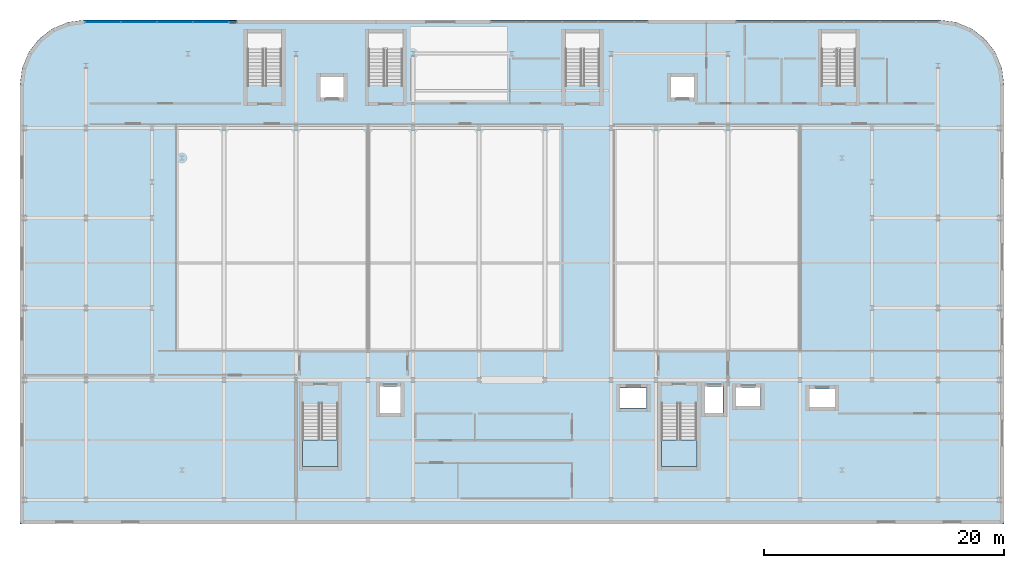
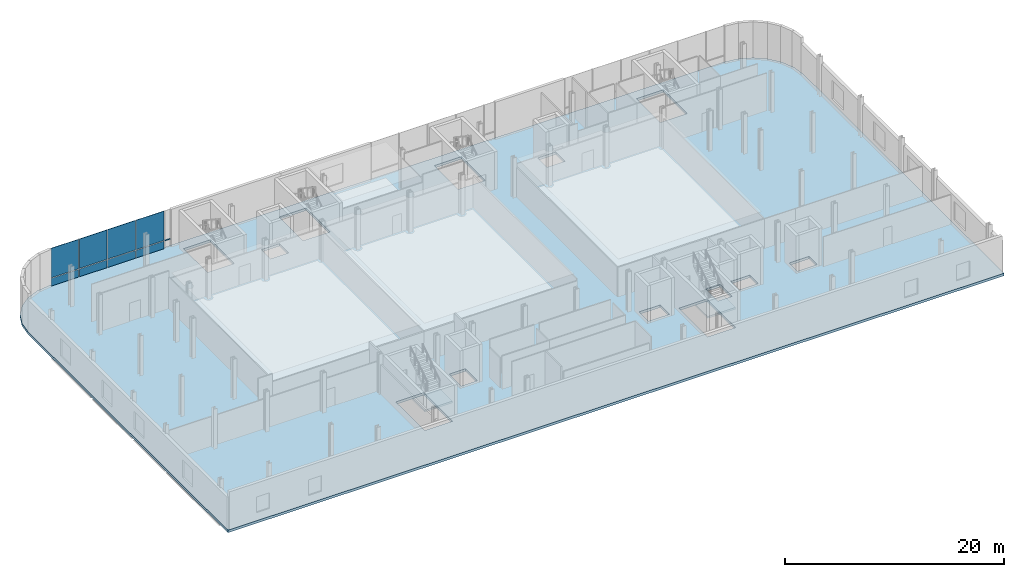
# One storey, part 14 of 25: 8 plates, 3 slabs, 1 member, 3 elements without a shape of their own.
"""IFC4 building model written with IfcOpenShell, lengths in metres."""

from ifc_helpers import new_model, si_unit, direction, frame, origin, origin_2d, place, context, subcontext, project, spatial, polyline, rectangle, hollow_rectangle, outline, extrude, material, layer, layer_set, material_profile, profile_set, type_object, element, aggregate, save


model = new_model("IFC4")

# Units and contexts
model_context = context("Model", 3, precision=1e-05, world=origin(), true_north=direction((0.0, 1.0)))
body_context = subcontext(model_context, "Body", "Model", "MODEL_VIEW")
ifc_project = project(units=[si_unit("LENGTHUNIT", "METRE"), si_unit("AREAUNIT", "SQUARE_METRE"), si_unit("VOLUMEUNIT", "CUBIC_METRE"), si_unit("PLANEANGLEUNIT", "RADIAN"), si_unit("MASSUNIT", "GRAM", prefix="KILO")], contexts=[model_context])

# Site, building, storey
site_placement = place(None, origin())
site = spatial("IfcSite", under=ifc_project, at=site_placement, CompositionType="ELEMENT")
building_placement = place(site_placement, origin())
building = spatial("IfcBuilding", under=site, at=building_placement, Name="Brevholm Reach", CompositionType="ELEMENT")
storey_placement = place(building_placement, frame((0.0, 0.0, 13.5)))
storey = spatial("IfcBuildingStorey", under=building, at=storey_placement, Name="L03", CompositionType="ELEMENT", Elevation=13.5)

# Curtain wall, member, plates
ifc_material_1 = material(Name="Dark Anodised Aluminium 6063-T6 and Solar-Control Glass", Category="aluminium")
ifc_layer_1 = layer(ifc_material_1, 0.1650390625)
ifc_layer_set_1 = layer_set([ifc_layer_1], Name="Dark Anodised Aluminium 6063-T6 and Solar-Control Glass")
curtain_wall_type = type_object("IfcCurtainWallType", Name="CW-03", PredefinedType="NOTDEFINED", material=ifc_layer_set_1)
curtain_wall_placement = place(storey_placement, origin())
curtain_wall = element("IfcCurtainWall", 1, at=curtain_wall_placement, inside=storey, type_object=curtain_wall_type, Name="L03 Curtain Wall CW-03", PredefinedType="NOTDEFINED")
ifc_material_2 = material(Name="Dark Anodised Aluminium 6063-T6", Category="aluminium")
ifc_material_profile = material_profile(ifc_material_2, hollow_rectangle(XDim=0.070068359375, YDim=0.1650390625, WallThickness=0.0048828125, InnerFilletRadius=0.0048828125, OuterFilletRadius=0.010009765625, at=origin_2d()), Name="RHS 165x70x5")
ifc_profile_set = profile_set([ifc_material_profile], Name="Dark Anodised Aluminium 6063-T6")
member_type = type_object("IfcMemberType", Name="CWT-165", PredefinedType="NOTDEFINED", material=ifc_profile_set)
member_placement = place(storey_placement, frame((6.43505859375, 39.830078125, 0.89990234375), z_axis=(1.0, 0.0, 0.0), x_axis=(0.0, 0.0, 1.0)))
member = element("IfcMember", 2, at=member_placement, type_object=member_type, Name="CT-165 Transom 5.1", ObjectType="TRANSOM", PredefinedType="USERDEFINED", context=body_context, shape_type="SweptSolid", body=[
    extrude(hollow_rectangle(XDim=0.070068359375, YDim=0.1650390625, WallThickness=0.0048828125, InnerFilletRadius=0.0048828125, OuterFilletRadius=0.010009765625, at=origin_2d()), origin(), (0.0, 0.0, 1.0), 0.594970703125),
])
ifc_material_3 = material(Name="Triple-Glazed Acoustic School IGU Glass", Category="glass")
ifc_layer_2 = layer(ifc_material_3, 0.0439453125)
ifc_layer_set_2 = layer_set([ifc_layer_2], Name="Triple-Glazed Acoustic School IGU Glass")
plate_type = type_object("IfcPlateType", Name="CWP-ACU-44", PredefinedType="CURTAIN_PANEL", material=ifc_layer_set_2)
plate_1_placement = place(storey_placement, frame((-4.08251953125, 39.830078125, 0.0), z_axis=(0.0, 0.0, 1.0), x_axis=(1.0, 0.0, 0.0)))
plate_1 = element("IfcPlate", 3, at=plate_1_placement, type_object=plate_type, Name="CP-03 Glazing Panel 1.1", PredefinedType="CURTAIN_PANEL", context=body_context, shape_type="SweptSolid", body=[
    extrude(rectangle(XDim=2.89501953125, YDim=0.0439453125, at=origin_2d()), origin(), (0.0, 0.0, 1.0), 0.864990234375),
])
plate_2_placement = place(storey_placement, frame((-4.08251953125, 39.830078125, 0.93505859375), z_axis=(0.0, 0.0, 1.0), x_axis=(1.0, 0.0, 0.0)))
plate_2 = element("IfcPlate", 4, at=plate_2_placement, type_object=plate_type, Name="CP-03 Glazing Panel 1.2", PredefinedType="CURTAIN_PANEL", context=body_context, shape_type="SweptSolid", body=[
    extrude(rectangle(XDim=2.89501953125, YDim=0.0439453125, at=origin_2d()), origin(), (0.0, 0.0, 1.0), 3.284912109375),
])
plate_3_placement = place(storey_placement, frame((-1.10009765625, 39.830078125, 0.0), z_axis=(0.0, 0.0, 1.0), x_axis=(1.0, 0.0, 0.0)))
plate_3 = element("IfcPlate", 5, at=plate_3_placement, type_object=plate_type, Name="CP-03 Glazing Panel 2.1", PredefinedType="CURTAIN_PANEL", context=body_context, shape_type="SweptSolid", body=[
    extrude(rectangle(XDim=2.929931640625, YDim=0.0439453125, at=origin_2d()), origin(), (0.0, 0.0, 1.0), 0.864990234375),
])
plate_4_placement = place(storey_placement, frame((-1.10009765625, 39.830078125, 0.93505859375), z_axis=(0.0, 0.0, 1.0), x_axis=(1.0, 0.0, 0.0)))
plate_4 = element("IfcPlate", 6, at=plate_4_placement, type_object=plate_type, Name="CP-03 Glazing Panel 2.2", PredefinedType="CURTAIN_PANEL", context=body_context, shape_type="SweptSolid", body=[
    extrude(rectangle(XDim=2.929931640625, YDim=0.0439453125, at=origin_2d()), origin(), (0.0, 0.0, 1.0), 3.284912109375),
])
plate_5_placement = place(storey_placement, frame((1.89990234375, 39.830078125, 0.0), z_axis=(0.0, 0.0, 1.0), x_axis=(1.0, 0.0, 0.0)))
plate_5 = element("IfcPlate", 7, at=plate_5_placement, type_object=plate_type, Name="CP-03 Glazing Panel 3.1", PredefinedType="CURTAIN_PANEL", context=body_context, shape_type="SweptSolid", body=[
    extrude(rectangle(XDim=2.929931640625, YDim=0.0439453125, at=origin_2d()), origin(), (0.0, 0.0, 1.0), 0.864990234375),
])
plate_6_placement = place(storey_placement, frame((1.89990234375, 39.830078125, 0.93505859375), z_axis=(0.0, 0.0, 1.0), x_axis=(1.0, 0.0, 0.0)))
plate_6 = element("IfcPlate", 8, at=plate_6_placement, type_object=plate_type, Name="CP-03 Glazing Panel 3.2", PredefinedType="CURTAIN_PANEL", context=body_context, shape_type="SweptSolid", body=[
    extrude(rectangle(XDim=2.929931640625, YDim=0.0439453125, at=origin_2d()), origin(), (0.0, 0.0, 1.0), 3.284912109375),
])
plate_7_placement = place(storey_placement, frame((4.89990234375, 39.830078125, 0.0), z_axis=(0.0, 0.0, 1.0), x_axis=(1.0, 0.0, 0.0)))
plate_7 = element("IfcPlate", 9, at=plate_7_placement, type_object=plate_type, Name="CP-03 Glazing Panel 4.1", PredefinedType="CURTAIN_PANEL", context=body_context, shape_type="SweptSolid", body=[
    extrude(rectangle(XDim=2.929931640625, YDim=0.0439453125, at=origin_2d()), origin(), (0.0, 0.0, 1.0), 0.864990234375),
])
plate_8_placement = place(storey_placement, frame((4.89990234375, 39.830078125, 0.93505859375), z_axis=(0.0, 0.0, 1.0), x_axis=(1.0, 0.0, 0.0)))
plate_8 = element("IfcPlate", 10, at=plate_8_placement, type_object=plate_type, Name="CP-03 Glazing Panel 4.2", PredefinedType="CURTAIN_PANEL", context=body_context, shape_type="SweptSolid", body=[
    extrude(rectangle(XDim=2.929931640625, YDim=0.0439453125, at=origin_2d()), origin(), (0.0, 0.0, 1.0), 3.284912109375),
])
aggregate(curtain_wall, [plate_1, plate_2, plate_3, plate_4, plate_5, plate_6, plate_7, plate_8, member])

# Slab
ifc_material_4 = material(Name="Concrete C40/50", Category="concrete")
ifc_layer_3 = layer(ifc_material_4, 0.280029296875)
ifc_layer_set_3 = layer_set([ifc_layer_3], Name="Concrete C40/50")
slab_type_1 = type_object("IfcSlabType", Name="SLB-FL-280", PredefinedType="FLOOR", material=ifc_layer_set_3)
slab_1_placement = place(storey_placement, frame((0.0, 0.0, -0.280029296875)))
element("IfcSlab", 11, at=slab_1_placement, inside=storey, type_object=slab_type_1, Name="L03 Suspended Floor Slab (main)", PredefinedType="FLOOR", context=body_context, shape_type="SweptSolid", body=[
    extrude(outline(polyline([(-11.0, -2.0), (71.0, -2.0), (71.0, 34.60009765625), (70.81591796875, 35.99755859375), (70.276611328125, 37.300048828125), (69.41845703125, 38.41845703125), (68.300048828125, 39.276611328125), (66.99755859375, 39.81591796875), (65.60009765625, 40.0), (-5.60009765625, 40.0), (-6.99755859375, 39.81591796875), (-8.300048828125, 39.276611328125), (-9.41845703125, 38.41845703125), (-10.276611328125, 37.300048828125), (-10.81591796875, 35.99755859375), (-11.0, 34.60009765625), (-11.0, -2.0)]), holes=[polyline([(12.550048828125, 2.780029296875), (15.5, 2.780029296875), (15.5, 8.044921875), (12.550048828125, 8.044921875), (12.550048828125, 2.780029296875)]), polyline([(42.449951171875, 2.780029296875), (45.39990234375, 2.780029296875), (45.39990234375, 8.044921875), (42.449951171875, 8.044921875), (42.449951171875, 2.780029296875)]), polyline([(7.949951171875, 34.554931640625), (10.800048828125, 34.554931640625), (10.800048828125, 38.929931640625), (7.949951171875, 38.929931640625), (7.949951171875, 34.554931640625)]), polyline([(18.050048828125, 34.554931640625), (20.89990234375, 34.554931640625), (20.89990234375, 38.929931640625), (18.050048828125, 38.929931640625), (18.050048828125, 34.554931640625)]), polyline([(34.449951171875, 34.554931640625), (37.300048828125, 34.554931640625), (37.300048828125, 38.929931640625), (34.449951171875, 38.929931640625), (34.449951171875, 34.554931640625)]), polyline([(55.800048828125, 34.554931640625), (58.64990234375, 34.554931640625), (58.64990234375, 38.929931640625), (55.800048828125, 38.929931640625), (55.800048828125, 34.554931640625)]), polyline([(19.0, 7.25), (20.699951171875, 7.25), (20.699951171875, 9.449951171875), (19.0, 9.449951171875), (19.0, 7.25)]), polyline([(46.10009765625, 7.25), (47.60009765625, 7.25), (47.60009765625, 9.449951171875), (46.10009765625, 9.449951171875), (46.10009765625, 7.25)]), polyline([(48.675048828125, 7.824951171875), (50.72509765625, 7.824951171875), (50.72509765625, 9.375), (48.675048828125, 9.375), (48.675048828125, 7.824951171875)]), polyline([(54.800048828125, 7.75), (56.89990234375, 7.75), (56.89990234375, 9.25), (54.800048828125, 9.25), (54.800048828125, 7.75)]), polyline([(39.02001953125, 7.64990234375), (41.219970703125, 7.64990234375), (41.219970703125, 9.35009765625), (39.02001953125, 9.35009765625), (39.02001953125, 7.64990234375)]), polyline([(14.050048828125, 33.550048828125), (15.949951171875, 33.550048828125), (15.949951171875, 35.25), (14.050048828125, 35.25), (14.050048828125, 33.550048828125)]), polyline([(43.25, 33.550048828125), (45.14990234375, 33.550048828125), (45.14990234375, 35.25), (43.25, 35.25), (43.25, 33.550048828125)])]), origin(), (0.0, 0.0, 1.0), 0.280029296875),
])

# Stair, slab
ifc_material_5 = material(Name="Precast Concrete C40/50", Category="concrete")
stair_type = type_object("IfcStairType", Name="STR-ESC-1400", PredefinedType="DOUBLE_RETURN_STAIR", material=ifc_material_5)
stair_1_placement = place(storey_placement, origin())
stair_1 = element("IfcStair", 12, at=stair_1_placement, inside=storey, type_object=stair_type, Name="L03 ST-1", PredefinedType="DOUBLE_RETURN_STAIR")
ifc_material_6 = material(Name="Concrete C40/50", Category="concrete")
ifc_layer_4 = layer(ifc_material_6, 0.199951171875)
ifc_layer_set_4 = layer_set([ifc_layer_4], Name="Concrete C40/50")
slab_type_2 = type_object("IfcSlabType", Name="SLB-LND-200", PredefinedType="LANDING", material=ifc_layer_set_4)
slab_2_placement = place(storey_placement, frame((0.0, 0.0, 2.050048828125)))
slab_2 = element("IfcSlab", 13, at=slab_2_placement, type_object=slab_type_2, Name="ST-1 landing 1", PredefinedType="LANDING", context=body_context, shape_type="SweptSolid", body=[
    extrude(outline(polyline([(12.550048828125, 5.02001953125), (12.550048828125, 2.780029296875), (15.5, 2.780029296875), (15.5, 5.02001953125), (12.550048828125, 5.02001953125)])), origin(), (0.0, 0.0, 1.0), 0.199951171875),
])
aggregate(stair_1, [slab_2])

stair_2_placement = place(storey_placement, origin())
stair_2 = element("IfcStair", 14, at=stair_2_placement, inside=storey, type_object=stair_type, Name="L03 ST-2", PredefinedType="DOUBLE_RETURN_STAIR")
slab_3_placement = place(storey_placement, frame((0.0, 0.0, 2.050048828125)))
slab_3 = element("IfcSlab", 15, at=slab_3_placement, type_object=slab_type_2, Name="ST-2 landing 1", PredefinedType="LANDING", context=body_context, shape_type="SweptSolid", body=[
    extrude(outline(polyline([(42.449951171875, 5.02001953125), (42.449951171875, 2.780029296875), (45.39990234375, 2.780029296875), (45.39990234375, 5.02001953125), (42.449951171875, 5.02001953125)])), origin(), (0.0, 0.0, 1.0), 0.199951171875),
])
aggregate(stair_2, [slab_3])

save(model, "model.ifc")
